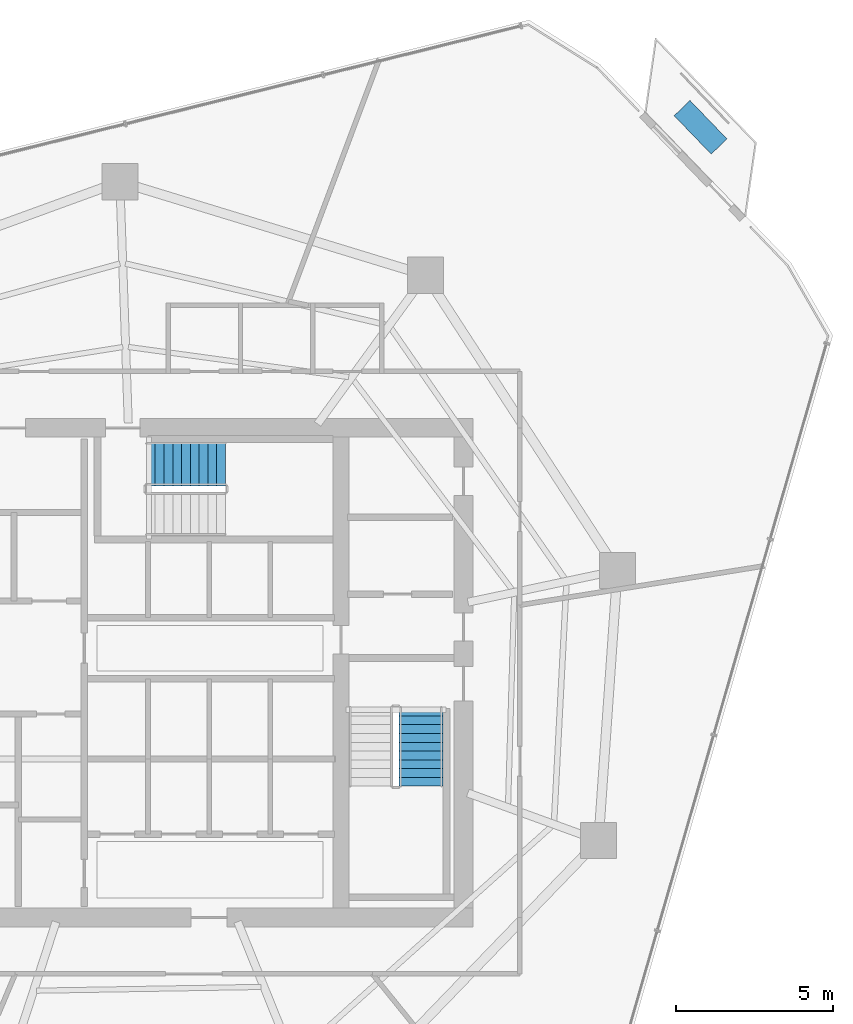
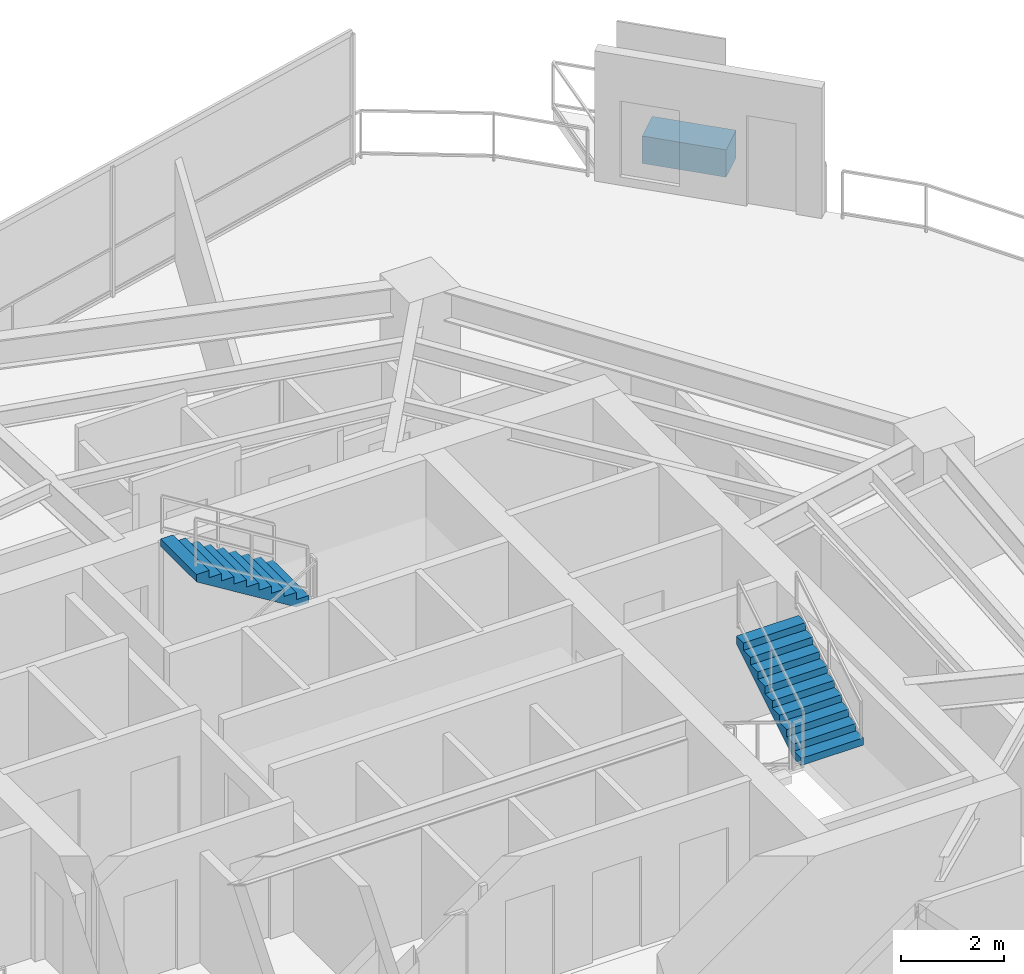
# One storey, part 21 of 23: 2 stair flights, 1 discrete accessory, 2 elements without a shape of their own.
"""IFC4 building model written with IfcOpenShell, lengths in metres."""

from ifc_helpers import new_model, si_unit, direction, frame, origin, origin_2d, place, context, subcontext, project, spatial, polyline, rectangle, outline, extrude, material, type_object, element, aggregate, save


model = new_model("IFC4")

# Units and contexts
model_context = context("Model", 3, precision=1e-05, world=origin(), true_north=direction((0.0, 1.0)))
body_context = subcontext(model_context, "Body", "Model", "MODEL_VIEW")
ifc_project = project(units=[si_unit("LENGTHUNIT", "METRE"), si_unit("AREAUNIT", "SQUARE_METRE"), si_unit("VOLUMEUNIT", "CUBIC_METRE"), si_unit("PLANEANGLEUNIT", "RADIAN"), si_unit("MASSUNIT", "GRAM", prefix="KILO")], contexts=[model_context])

# Site, building, storey
site_placement = place(None, origin())
site = spatial("IfcSite", under=ifc_project, at=site_placement, CompositionType="ELEMENT")
building_placement = place(site_placement, origin())
building = spatial("IfcBuilding", under=site, at=building_placement, Name="Qarnah Convention Tower", CompositionType="ELEMENT")
storey_placement = place(building_placement, frame((0.0, 0.0, 117.75)))
storey = spatial("IfcBuildingStorey", under=building, at=storey_placement, Name="L31", CompositionType="ELEMENT", Elevation=117.75)

# Stair, stair flight
ifc_material_1 = material(Name="Concrete C50/60", Category="concrete")
stair_type = type_object("IfcStairType", Name="STR-HTL", PredefinedType="HALF_TURN_STAIR", material=ifc_material_1)
stair_1_placement = place(storey_placement, origin())
stair_1 = element("IfcStair", 1, at=stair_1_placement, inside=storey, type_object=stair_type, Name="L31 Core exit stair ST-2", PredefinedType="HALF_TURN_STAIR")
stair_flight_type = type_object("IfcStairFlightType", Name="FLT-HTL", PredefinedType="STRAIGHT", material=ifc_material_1)
stair_flight_1_placement = place(storey_placement, frame((46.25, 22.780029296875, 1.72509765625), z_axis=(0.0, 0.0, 1.0), x_axis=(0.0, 1.0, 0.0)))
stair_flight_1 = element("IfcStairFlight", 2, at=stair_flight_1_placement, type_object=stair_flight_type, Name="ST-2 flight 2", NumberOfRisers=10, NumberOfTreads=9, PredefinedType="STRAIGHT", RiserHeight=0.1725, TreadLength=0.28, context=body_context, shape_type="SweptSolid", body=[
    extrude(outline(polyline([(0.0, 0.0), (0.0, 0.172607421875), (0.280029296875, 0.172607421875), (0.280029296875, 0.344970703125), (0.56005859375, 0.344970703125), (0.56005859375, 0.517578125), (0.840087890625, 0.517578125), (0.840087890625, 0.68994140625), (1.1201171875, 0.68994140625), (1.1201171875, 0.862548828125), (1.39990234375, 0.862548828125), (1.39990234375, 1.034912109375), (1.679931640625, 1.034912109375), (1.679931640625, 1.20751953125), (1.9599609375, 1.20751953125), (1.9599609375, 1.3798828125), (2.239990234375, 1.3798828125), (2.239990234375, 1.552490234375), (2.52001953125, 1.552490234375), (2.52001953125, 1.72509765625), (2.52001953125, 1.37646484375), (0.285888671875, 0.0), (0.0, 0.0)])), frame((0.0, 0.699951171875, 0.0), z_axis=(0.0, -1.0, 0.0), x_axis=(1.0, 0.0, 0.0)), (0.0, 0.0, 1.0), 1.39990234375),
])
aggregate(stair_1, [stair_flight_1])

stair_2_placement = place(storey_placement, origin())
stair_2 = element("IfcStair", 3, at=stair_2_placement, inside=storey, type_object=stair_type, Name="L31 Core exit stair ST-3", PredefinedType="HALF_TURN_STAIR")
stair_flight_2_placement = place(storey_placement, frame((40.02001953125, 33.050048828125, 1.72509765625), z_axis=(0.0, 0.0, 1.0), x_axis=(-1.0, 0.0, 0.0)))
stair_flight_2 = element("IfcStairFlight", 4, at=stair_flight_2_placement, type_object=stair_flight_type, Name="ST-3 flight 2", NumberOfRisers=10, NumberOfTreads=9, PredefinedType="STRAIGHT", RiserHeight=0.1725, TreadLength=0.28, context=body_context, shape_type="SweptSolid", body=[
    extrude(outline(polyline([(0.0, 0.0), (0.0, 0.172607421875), (0.280029296875, 0.172607421875), (0.280029296875, 0.344970703125), (0.56005859375, 0.344970703125), (0.56005859375, 0.517578125), (0.840087890625, 0.517578125), (0.840087890625, 0.68994140625), (1.1201171875, 0.68994140625), (1.1201171875, 0.862548828125), (1.39990234375, 0.862548828125), (1.39990234375, 1.034912109375), (1.679931640625, 1.034912109375), (1.679931640625, 1.20751953125), (1.9599609375, 1.20751953125), (1.9599609375, 1.3798828125), (2.239990234375, 1.3798828125), (2.239990234375, 1.552490234375), (2.52001953125, 1.552490234375), (2.52001953125, 1.72509765625), (2.52001953125, 1.37646484375), (0.285888671875, 0.0), (0.0, 0.0)])), frame((0.0, 0.699951171875, 0.0), z_axis=(0.0, -1.0, 0.0), x_axis=(1.0, 0.0, 0.0)), (0.0, 0.0, 1.0), 1.39990234375),
])
aggregate(stair_2, [stair_flight_2])

# Discrete accessory
ifc_material_2 = material(Name="Precast concrete C45/55", Category="concrete")
discrete_accessory_type = type_object("IfcDiscreteAccessoryType", Name="ACC-PLANTER-900", PredefinedType="USERDEFINED", material=ifc_material_2)
discrete_accessory_placement = place(storey_placement, frame((55.157958984375, 43.77392578125, 0.0), z_axis=(0.0, 0.0, 1.0), x_axis=(-0.693779012888, 0.720187948577, 0.0)))
element("IfcDiscreteAccessory", 5, at=discrete_accessory_placement, inside=storey, type_object=discrete_accessory_type, Name="L31 irrigated desert balcony PLANTER BAL-L31-C1", ObjectType="PLANTER", PredefinedType="USERDEFINED", context=body_context, shape_type="SweptSolid", body=[
    extrude(rectangle(XDim=1.699951171875, YDim=0.699951171875, at=origin_2d()), origin(), (0.0, 0.0, 1.0), 0.64990234375),
])

save(model, "model.ifc")
